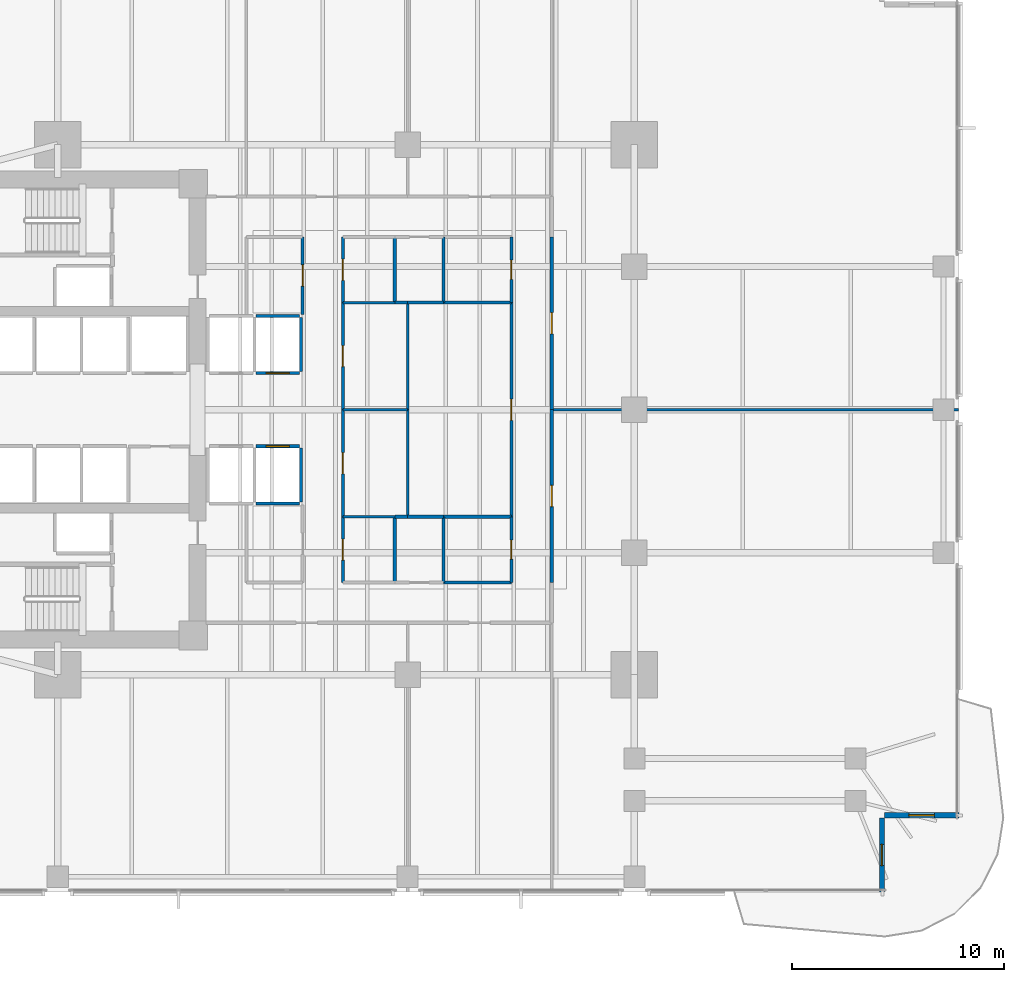
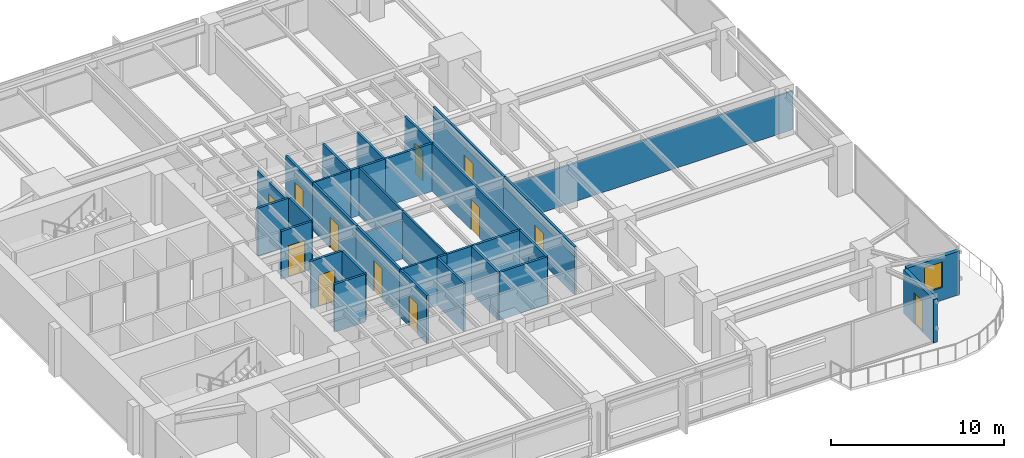
# One storey, part 9 of 15: 35 walls, 13 doors, 1 window, 14 openings.
"""IFC4 building model written with IfcOpenShell, lengths in metres."""

from ifc_helpers import new_model, si_unit, direction, frame, frame_2d, origin, place, context, subcontext, project, spatial, rectangle, extrude, material, layer, layer_set, type_object, element, fill, save


model = new_model("IFC4")

# Units and contexts
model_context = context("Model", 3, precision=1e-05, world=origin(), true_north=direction((0.0, 1.0)))
body_context = subcontext(model_context, "Body", "Model", "MODEL_VIEW")
ifc_project = project(units=[si_unit("LENGTHUNIT", "METRE"), si_unit("AREAUNIT", "SQUARE_METRE"), si_unit("VOLUMEUNIT", "CUBIC_METRE"), si_unit("PLANEANGLEUNIT", "RADIAN"), si_unit("MASSUNIT", "GRAM", prefix="KILO")], contexts=[model_context])

# Site, building, storey
site_placement = place(None, origin())
site = spatial("IfcSite", under=ifc_project, at=site_placement, CompositionType="ELEMENT")
building_placement = place(site_placement, origin())
building = spatial("IfcBuilding", under=site, at=building_placement, Name="Kinhvarn Gate Tower", CompositionType="ELEMENT")
storey_placement = place(building_placement, frame((0.0, 0.0, 39.800048828125)))
storey = spatial("IfcBuildingStorey", under=building, at=storey_placement, Name="L09", CompositionType="ELEMENT", Elevation=39.800048828125)

# Wall, opening, door
ifc_material_1 = material(Name="Fired architectural terracotta", Category="masonry")
ifc_layer_1 = layer(ifc_material_1, 0.25)
ifc_layer_set_1 = layer_set([ifc_layer_1], Name="Fired architectural terracotta")
wall_type_1 = type_object("IfcWallType", Name="WL-EXT-250", PredefinedType="SOLIDWALL", material=ifc_layer_set_1)
wall_1_placement = place(storey_placement, frame((49.875, 2.5, 0.0), z_axis=(0.0, 0.0, 1.0), x_axis=(0.0, 1.0, 0.0)))
wall_1 = element("IfcWall", 1, at=wall_1_placement, inside=storey, type_object=wall_type_1, Name="Exterior Solidwall Wall EW-250 (L09 SE-Notch-Door)", PredefinedType="SOLIDWALL", context=body_context, shape_type="SweptSolid", body=[
    extrude(rectangle(XDim=3.5, YDim=0.25, at=frame_2d((1.75, 0.0))), origin(), (0.0, 0.0, 1.0), 3.070068359375),
])
opening_1_placement = place(wall_1_placement, frame((1.25, 0.0, 0.0)))
opening_1 = element("IfcOpeningElement", 2, at=opening_1_placement, cuts=wall_1, Name="Opening BD-01", PredefinedType="OPENING", context=body_context, shape_type="SweptSolid", body=[
    extrude(rectangle(XDim=1.0, YDim=2.199951171875, at=frame_2d((0.5, 1.10009765625))), frame((0.0, 0.135009765625, 0.0), z_axis=(0.0, -1.0, 0.0), x_axis=(1.0, 0.0, 0.0)), (0.0, 0.0, 1.0), 0.27001953125),
])
ifc_material_2 = material(Name="Clear low-e double glazing", Category="glass")
door_type_1 = type_object("IfcDoorType", Name="DR-BAL-1000", OperationType="NOTDEFINED", PredefinedType="DOOR", material=ifc_material_2)
door_1_placement = place(opening_1_placement, frame((1.0, 0.0, 0.0), z_axis=(0.0, 0.0, 1.0), x_axis=(-1.0, 0.0, 0.0)))
door_1 = element("IfcDoor", 3, at=door_1_placement, inside=storey, type_object=door_type_1, Name="S-Carve Balcony Door BD-01 (L09)", OperationType="SINGLE_SWING_LEFT", OverallHeight=2.199951171875, OverallWidth=1.0, PredefinedType="DOOR", context=body_context, shape_type="SweptSolid", body=[
    extrude(rectangle(XDim=1.0, YDim=2.199951171875, at=frame_2d((0.5, 1.10009765625))), frame((0.0, 0.02490234375, 0.0), z_axis=(0.0, -1.0, 0.0), x_axis=(1.0, 0.0, 0.0)), (0.0, 0.0, 1.0), 0.050048828125),
])
fill(opening_1, door_1)

# Wall, opening, window
wall_2_placement = place(storey_placement, frame((50.0, 6.125, 0.0), z_axis=(0.0, 0.0, 1.0), x_axis=(1.0, 0.0, 0.0)))
wall_2 = element("IfcWall", 4, at=wall_2_placement, inside=storey, type_object=wall_type_1, Name="Exterior Solidwall Wall EW-250 (L09 SE-Notch-Win)", PredefinedType="SOLIDWALL", context=body_context, shape_type="SweptSolid", body=[
    extrude(rectangle(XDim=3.5, YDim=0.25, at=frame_2d((1.75, 0.0))), origin(), (0.0, 0.0, 1.0), 3.070068359375),
])
opening_2_placement = place(wall_2_placement, frame((1.14990234375, 0.0, 0.89990234375)))
opening_2 = element("IfcOpeningElement", 5, at=opening_2_placement, cuts=wall_2, Name="Opening WN-02", PredefinedType="OPENING", context=body_context, shape_type="SweptSolid", body=[
    extrude(rectangle(XDim=1.199951171875, YDim=1.800048828125, at=frame_2d((0.60009765625, 0.89990234375))), frame((0.0, 0.135009765625, 0.0), z_axis=(0.0, -1.0, 0.0), x_axis=(1.0, 0.0, 0.0)), (0.0, 0.0, 1.0), 0.27001953125),
])
window_type = type_object("IfcWindowType", Name="WIN-NTC-1200", PartitioningType="SINGLE_PANEL", PredefinedType="WINDOW", material=ifc_material_2)
window_placement = place(opening_2_placement, origin())
window = element("IfcWindow", 6, at=window_placement, inside=storey, type_object=window_type, Name="Recessed Corner Notch Punched Window 1200x1800 mm (L09)", OverallHeight=1.800048828125, OverallWidth=1.199951171875, PartitioningType="SINGLE_PANEL", PredefinedType="WINDOW", context=body_context, shape_type="SweptSolid", body=[
    extrude(rectangle(XDim=1.199951171875, YDim=1.800048828125, at=frame_2d((0.60009765625, 0.89990234375))), frame((0.0, 0.030029296875, 0.0), z_axis=(0.0, -1.0, 0.0), x_axis=(1.0, 0.0, 0.0)), (0.0, 0.0, 1.0), 0.06005859375),
])
fill(opening_2, window)

# Walls
ifc_material_3 = material(Name="Gypsum acoustic partition board")
ifc_layer_2 = layer(ifc_material_3, 0.14990234375)
ifc_layer_set_2 = layer_set([ifc_layer_2], Name="Gypsum acoustic partition board")
wall_type_2 = type_object("IfcWallType", Name="WL-PLM-150", PredefinedType="PLUMBINGWALL", material=ifc_layer_set_2)
wall_3_placement = place(storey_placement, frame((29.199951171875, 17.10009765625, 0.0), z_axis=(0.0, 0.0, 1.0), x_axis=(0.0, 1.0, 0.0)))
element("IfcWall", 7, at=wall_3_placement, inside=storey, type_object=wall_type_2, Name="Interior Partition PLW-150 (L09)", PredefinedType="PLUMBINGWALL", context=body_context, shape_type="SweptSolid", body=[
    extrude(rectangle(XDim=3.099853515625, YDim=0.14990234375, at=frame_2d((1.5498046875, 0.0))), origin(), (0.0, 0.0, 1.0), 3.369873046875),
])
wall_4_placement = place(storey_placement, frame((29.199951171875, 20.199951171875, 0.0), z_axis=(0.0, 0.0, 1.0), x_axis=(1.0, 0.0, 0.0)))
element("IfcWall", 8, at=wall_4_placement, inside=storey, type_object=wall_type_2, Name="Interior Partition PLW-150 (L09)", PredefinedType="PLUMBINGWALL", context=body_context, shape_type="SweptSolid", body=[
    extrude(rectangle(XDim=3.199951171875, YDim=0.14990234375, at=frame_2d((1.60009765625, 0.0))), origin(), (0.0, 0.0, 1.0), 3.369873046875),
])
wall_5_placement = place(storey_placement, frame((29.199951171875, 30.300048828125, 0.0), z_axis=(0.0, 0.0, 1.0), x_axis=(0.0, 1.0, 0.0)))
element("IfcWall", 9, at=wall_5_placement, inside=storey, type_object=wall_type_2, Name="Interior Partition PLW-150 (L09)", PredefinedType="PLUMBINGWALL", context=body_context, shape_type="SweptSolid", body=[
    extrude(rectangle(XDim=3.099853515625, YDim=0.14990234375, at=frame_2d((1.5498046875, 0.0))), origin(), (0.0, 0.0, 1.0), 3.369873046875),
])
wall_6_placement = place(storey_placement, frame((29.199951171875, 30.300048828125, 0.0), z_axis=(0.0, 0.0, 1.0), x_axis=(1.0, 0.0, 0.0)))
element("IfcWall", 10, at=wall_6_placement, inside=storey, type_object=wall_type_2, Name="Interior Partition PLW-150 (L09)", PredefinedType="PLUMBINGWALL", context=body_context, shape_type="SweptSolid", body=[
    extrude(rectangle(XDim=3.199951171875, YDim=0.14990234375, at=frame_2d((1.60009765625, 0.0))), origin(), (0.0, 0.0, 1.0), 3.369873046875),
])
wall_7_placement = place(storey_placement, frame((26.89990234375, 17.10009765625, 0.0), z_axis=(0.0, 0.0, 1.0), x_axis=(0.0, 1.0, 0.0)))
element("IfcWall", 11, at=wall_7_placement, inside=storey, type_object=wall_type_2, Name="Interior Partition PLW-150 (L09)", PredefinedType="PLUMBINGWALL", context=body_context, shape_type="SweptSolid", body=[
    extrude(rectangle(XDim=3.099853515625, YDim=0.14990234375, at=frame_2d((1.5498046875, 0.0))), origin(), (0.0, 0.0, 1.0), 3.369873046875),
])
wall_8_placement = place(storey_placement, frame((26.89990234375, 20.199951171875, 0.0), z_axis=(0.0, 0.0, 1.0), x_axis=(1.0, 0.0, 0.0)))
element("IfcWall", 12, at=wall_8_placement, inside=storey, type_object=wall_type_2, Name="Interior Partition PLW-150 (L09)", PredefinedType="PLUMBINGWALL", context=body_context, shape_type="SweptSolid", body=[
    extrude(rectangle(XDim=0.60009765625, YDim=0.14990234375, at=frame_2d((0.300048828125, 0.0))), origin(), (0.0, 0.0, 1.0), 3.369873046875),
])
wall_9_placement = place(storey_placement, frame((27.5, 20.199951171875, 0.0), z_axis=(0.0, 0.0, 1.0), x_axis=(1.0, 0.0, 0.0)))
element("IfcWall", 13, at=wall_9_placement, inside=storey, type_object=wall_type_2, Name="Interior Partition PLW-150 (L09)", PredefinedType="PLUMBINGWALL", context=body_context, shape_type="SweptSolid", body=[
    extrude(rectangle(XDim=1.699951171875, YDim=0.14990234375, at=frame_2d((0.85009765625, 0.0))), origin(), (0.0, 0.0, 1.0), 3.369873046875),
])
wall_10_placement = place(storey_placement, frame((26.89990234375, 30.300048828125, 0.0), z_axis=(0.0, 0.0, 1.0), x_axis=(0.0, 1.0, 0.0)))
element("IfcWall", 14, at=wall_10_placement, inside=storey, type_object=wall_type_2, Name="Interior Partition PLW-150 (L09)", PredefinedType="PLUMBINGWALL", context=body_context, shape_type="SweptSolid", body=[
    extrude(rectangle(XDim=3.099853515625, YDim=0.14990234375, at=frame_2d((1.5498046875, 0.0))), origin(), (0.0, 0.0, 1.0), 3.369873046875),
])
wall_11_placement = place(storey_placement, frame((26.89990234375, 30.300048828125, 0.0), z_axis=(0.0, 0.0, 1.0), x_axis=(1.0, 0.0, 0.0)))
element("IfcWall", 15, at=wall_11_placement, inside=storey, type_object=wall_type_2, Name="Interior Partition PLW-150 (L09)", PredefinedType="PLUMBINGWALL", context=body_context, shape_type="SweptSolid", body=[
    extrude(rectangle(XDim=0.60009765625, YDim=0.14990234375, at=frame_2d((0.300048828125, 0.0))), origin(), (0.0, 0.0, 1.0), 3.369873046875),
])
wall_12_placement = place(storey_placement, frame((27.5, 30.300048828125, 0.0), z_axis=(0.0, 0.0, 1.0), x_axis=(1.0, 0.0, 0.0)))
element("IfcWall", 16, at=wall_12_placement, inside=storey, type_object=wall_type_2, Name="Interior Partition PLW-150 (L09)", PredefinedType="PLUMBINGWALL", context=body_context, shape_type="SweptSolid", body=[
    extrude(rectangle(XDim=1.699951171875, YDim=0.14990234375, at=frame_2d((0.85009765625, 0.0))), origin(), (0.0, 0.0, 1.0), 3.369873046875),
])
ifc_layer_3 = layer(ifc_material_3, 0.14990234375)
ifc_layer_set_3 = layer_set([ifc_layer_3], Name="Gypsum acoustic partition board")
wall_type_3 = type_object("IfcWallType", Name="WL-PLM-150F", PredefinedType="PLUMBINGWALL", material=ifc_layer_set_3)
wall_13_placement = place(storey_placement, frame((29.199951171875, 17.10009765625, 0.0), z_axis=(0.0, 0.0, 1.0), x_axis=(1.0, 0.0, 0.0)))
element("IfcWall", 17, at=wall_13_placement, inside=storey, type_object=wall_type_3, Name="Interior Partition PLW-150F (L09)", PredefinedType="PLUMBINGWALL", context=body_context, shape_type="SweptSolid", body=[
    extrude(rectangle(XDim=3.199951171875, YDim=0.14990234375, at=frame_2d((1.60009765625, 0.0))), origin(), (0.0, 0.0, 1.0), 3.369873046875),
])

# Wall, opening, door
wall_14_placement = place(storey_placement, frame((32.39990234375, 17.10009765625, 0.0), z_axis=(0.0, 0.0, 1.0), x_axis=(0.0, 1.0, 0.0)))
wall_14 = element("IfcWall", 18, at=wall_14_placement, inside=storey, type_object=wall_type_3, Name="Interior Partition PLW-150F (L09)", PredefinedType="PLUMBINGWALL", context=body_context, shape_type="SweptSolid", body=[
    extrude(rectangle(XDim=3.099853515625, YDim=0.14990234375, at=frame_2d((1.5498046875, 0.0))), origin(), (0.0, 0.0, 1.0), 3.369873046875),
])
opening_3_placement = place(wall_14_placement, frame((1.10009765625, 0.0, 0.0)))
opening_3 = element("IfcOpeningElement", 19, at=opening_3_placement, cuts=wall_14, Name="Opening FD-04", PredefinedType="OPENING", context=body_context, shape_type="SweptSolid", body=[
    extrude(rectangle(XDim=0.89990234375, YDim=2.10009765625, at=frame_2d((0.449951171875, 1.050048828125))), frame((0.0, 0.0849609375, 0.0), z_axis=(0.0, -1.0, 0.0), x_axis=(1.0, 0.0, 0.0)), (0.0, 0.0, 1.0), 0.169921875),
])
ifc_material_4 = material(Name="Anodised aluminium AW-6063", Category="aluminium")
door_type_2 = type_object("IfcDoorType", Name="DR-FD-900", OperationType="NOTDEFINED", PredefinedType="DOOR", material=ifc_material_4)
door_2_placement = place(opening_3_placement, origin())
door_2 = element("IfcDoor", 20, at=door_2_placement, inside=storey, type_object=door_type_2, Name="Rated Riser & Service Closet Fire Door 900x2100 mm (L09)", OperationType="SINGLE_SWING_RIGHT", OverallHeight=2.10009765625, OverallWidth=0.89990234375, PredefinedType="DOOR", context=body_context, shape_type="SweptSolid", body=[
    extrude(rectangle(XDim=0.89990234375, YDim=2.10009765625, at=frame_2d((0.449951171875, 1.050048828125))), frame((0.0, 0.02490234375, 0.0), z_axis=(0.0, -1.0, 0.0), x_axis=(1.0, 0.0, 0.0)), (0.0, 0.0, 1.0), 0.050048828125),
])
fill(opening_3, door_2)

wall_15_placement = place(storey_placement, frame((32.39990234375, 30.300048828125, 0.0), z_axis=(0.0, 0.0, 1.0), x_axis=(0.0, 1.0, 0.0)))
wall_15 = element("IfcWall", 21, at=wall_15_placement, inside=storey, type_object=wall_type_3, Name="Interior Partition PLW-150F (L09)", PredefinedType="PLUMBINGWALL", context=body_context, shape_type="SweptSolid", body=[
    extrude(rectangle(XDim=3.099853515625, YDim=0.14990234375, at=frame_2d((1.5498046875, 0.0))), origin(), (0.0, 0.0, 1.0), 3.369873046875),
])
opening_4_placement = place(wall_15_placement, frame((1.10009765625, 0.0, 0.0)))
opening_4 = element("IfcOpeningElement", 22, at=opening_4_placement, cuts=wall_15, Name="Opening FD-04", PredefinedType="OPENING", context=body_context, shape_type="SweptSolid", body=[
    extrude(rectangle(XDim=0.89990234375, YDim=2.10009765625, at=frame_2d((0.449951171875, 1.050048828125))), frame((0.0, 0.0849609375, 0.0), z_axis=(0.0, -1.0, 0.0), x_axis=(1.0, 0.0, 0.0)), (0.0, 0.0, 1.0), 0.169921875),
])
door_3_placement = place(opening_4_placement, origin())
door_3 = element("IfcDoor", 23, at=door_3_placement, inside=storey, type_object=door_type_2, Name="Rated Riser & Service Closet Fire Door 900x2100 mm (L09)", OperationType="SINGLE_SWING_LEFT", OverallHeight=2.10009765625, OverallWidth=0.89990234375, PredefinedType="DOOR", context=body_context, shape_type="SweptSolid", body=[
    extrude(rectangle(XDim=0.89990234375, YDim=2.10009765625, at=frame_2d((0.449951171875, 1.050048828125))), frame((0.0, 0.02490234375, 0.0), z_axis=(0.0, -1.0, 0.0), x_axis=(1.0, 0.0, 0.0)), (0.0, 0.0, 1.0), 0.050048828125),
])
fill(opening_4, door_3)

# Walls
ifc_layer_4 = layer(ifc_material_3, 0.1201171875)
ifc_layer_set_4 = layer_set([ifc_layer_4], Name="Gypsum acoustic partition board")
wall_type_4 = type_object("IfcWallType", Name="WL-PRT-120", PredefinedType="PARTITIONING", material=ifc_layer_set_4)
for number, where, z_axis, x_axis, name in (
    (24, (24.449951171875, 20.199951171875, 0.0), (0.0, 0.0, 1.0), (1.0, 0.0, 0.0), "Interior Partition PW-120 (L09)"),
    (25, (24.449951171875, 30.300048828125, 0.0), (0.0, 0.0, 1.0), (1.0, 0.0, 0.0), "Interior Partition PW-120 (L09)"),
):
    element("IfcWall", number, at=place(storey_placement, frame(where, z_axis=z_axis, x_axis=x_axis)), inside=storey, type_object=wall_type_4, Name=name, PredefinedType="PARTITIONING", context=body_context, shape_type="SweptSolid", body=[
        extrude(rectangle(XDim=2.449951171875, YDim=0.1201171875, at=frame_2d((1.22509765625, 0.0))), origin(), (0.0, 0.0, 1.0), 3.369873046875),
    ])
wall_16_placement = place(storey_placement, frame((24.449951171875, 25.25, 0.0), z_axis=(0.0, 0.0, 1.0), x_axis=(1.0, 0.0, 0.0)))
element("IfcWall", 26, at=wall_16_placement, inside=storey, type_object=wall_type_4, Name="Interior Partition PW-120 (L09)", PredefinedType="PARTITIONING", context=body_context, shape_type="SweptSolid", body=[
    extrude(rectangle(XDim=3.050048828125, YDim=0.1201171875, at=frame_2d((1.52490234375, 0.0))), origin(), (0.0, 0.0, 1.0), 2.719970703125),
])
for number, where, z_axis, x_axis, name in (
    (27, (27.5, 20.199951171875, 0.0), (0.0, 0.0, 1.0), (0.0, 1.0, 0.0), "Interior Partition PW-120 (L09)"),
    (28, (27.5, 25.25, 0.0), (0.0, 0.0, 1.0), (0.0, 1.0, 0.0), "Interior Partition PW-120 (L09)"),
):
    element("IfcWall", number, at=place(storey_placement, frame(where, z_axis=z_axis, x_axis=x_axis)), inside=storey, type_object=wall_type_4, Name=name, PredefinedType="PARTITIONING", context=body_context, shape_type="SweptSolid", body=[
        extrude(rectangle(XDim=5.050048828125, YDim=0.1201171875, at=frame_2d((2.52490234375, 0.0))), origin(), (0.0, 0.0, 1.0), 3.369873046875),
    ])
wall_17_placement = place(storey_placement, frame((34.300048828125, 25.25, 0.0), z_axis=(0.0, 0.0, 1.0), x_axis=(1.0, 0.0, 0.0)))
element("IfcWall", 29, at=wall_17_placement, inside=storey, type_object=wall_type_4, Name="Interior Partition PW-120 (L09)", PredefinedType="PARTITIONING", context=body_context, shape_type="SweptSolid", body=[
    extrude(rectangle(XDim=19.18994140625, YDim=0.1201171875, at=frame_2d((9.594970703125, 0.0))), origin(), (0.0, 0.0, 1.0), 2.719970703125),
])

# Wall, opening, door
ifc_layer_5 = layer(ifc_material_3, 0.14990234375)
ifc_layer_set_5 = layer_set([ifc_layer_5], Name="Gypsum acoustic partition board")
wall_type_5 = type_object("IfcWallType", Name="WL-PRT-150F", PredefinedType="PARTITIONING", material=ifc_layer_set_5)
wall_18_placement = place(storey_placement, frame((22.550048828125, 29.75, 0.0), z_axis=(0.0, 0.0, 1.0), x_axis=(0.0, 1.0, 0.0)))
wall_18 = element("IfcWall", 30, at=wall_18_placement, inside=storey, type_object=wall_type_5, Name="Interior Partition PW-150F (L09)", PredefinedType="PARTITIONING", context=body_context, shape_type="SweptSolid", body=[
    extrude(rectangle(XDim=3.64990234375, YDim=0.14990234375, at=frame_2d((1.824951171875, 0.0))), origin(), (0.0, 0.0, 1.0), 3.010009765625),
])
opening_5_placement = place(wall_18_placement, frame((1.324951171875, 0.0, 0.0)))
opening_5 = element("IfcOpeningElement", 31, at=opening_5_placement, cuts=wall_18, Name="Opening ID-02", PredefinedType="OPENING", context=body_context, shape_type="SweptSolid", body=[
    extrude(rectangle(XDim=1.0, YDim=2.14990234375, at=frame_2d((0.5, 1.074951171875))), frame((0.0, 0.0849609375, 0.0), z_axis=(0.0, -1.0, 0.0), x_axis=(1.0, 0.0, 0.0)), (0.0, 0.0, 1.0), 0.169921875),
])
door_type_3 = type_object("IfcDoorType", Name="DR-INT-1000", OperationType="NOTDEFINED", PredefinedType="DOOR", material=ifc_material_4)
door_4_placement = place(opening_5_placement, origin())
door_4 = element("IfcDoor", 32, at=door_4_placement, inside=storey, type_object=door_type_3, Name="Standard Office & Meeting Room Door 1000x2150 mm (L09)", OperationType="SINGLE_SWING_RIGHT", OverallHeight=2.14990234375, OverallWidth=1.0, PredefinedType="DOOR", context=body_context, shape_type="SweptSolid", body=[
    extrude(rectangle(XDim=1.0, YDim=2.14990234375, at=frame_2d((0.5, 1.074951171875))), frame((0.0, 0.02490234375, 0.0), z_axis=(0.0, -1.0, 0.0), x_axis=(1.0, 0.0, 0.0)), (0.0, 0.0, 1.0), 0.050048828125),
])
fill(opening_5, door_4)

wall_19_placement = place(storey_placement, frame((24.449951171875, 17.10009765625, 0.0), z_axis=(0.0, 0.0, 1.0), x_axis=(0.0, 1.0, 0.0)))
wall_19 = element("IfcWall", 33, at=wall_19_placement, inside=storey, type_object=wall_type_5, Name="Interior Partition PW-150F (L09)", PredefinedType="PARTITIONING", context=body_context, shape_type="SweptSolid", body=[
    extrude(rectangle(XDim=3.099853515625, YDim=0.14990234375, at=frame_2d((1.5498046875, 0.0))), origin(), (0.0, 0.0, 1.0), 3.369873046875),
])
opening_6_placement = place(wall_19_placement, frame((1.050048828125, 0.0, 0.0)))
opening_6 = element("IfcOpeningElement", 34, at=opening_6_placement, cuts=wall_19, Name="Opening ID-02", PredefinedType="OPENING", context=body_context, shape_type="SweptSolid", body=[
    extrude(rectangle(XDim=1.0, YDim=2.14990234375, at=frame_2d((0.5, 1.074951171875))), frame((0.0, 0.0849609375, 0.0), z_axis=(0.0, -1.0, 0.0), x_axis=(1.0, 0.0, 0.0)), (0.0, 0.0, 1.0), 0.169921875),
])
door_5_placement = place(opening_6_placement, origin())
door_5 = element("IfcDoor", 35, at=door_5_placement, inside=storey, type_object=door_type_3, Name="Standard Office & Meeting Room Door 1000x2150 mm (L09)", OperationType="SINGLE_SWING_LEFT", OverallHeight=2.14990234375, OverallWidth=1.0, PredefinedType="DOOR", context=body_context, shape_type="SweptSolid", body=[
    extrude(rectangle(XDim=1.0, YDim=2.14990234375, at=frame_2d((0.5, 1.074951171875))), frame((0.0, 0.02490234375, 0.0), z_axis=(0.0, -1.0, 0.0), x_axis=(1.0, 0.0, 0.0)), (0.0, 0.0, 1.0), 0.050048828125),
])
fill(opening_6, door_5)

wall_20_placement = place(storey_placement, frame((24.449951171875, 30.300048828125, 0.0), z_axis=(0.0, 0.0, 1.0), x_axis=(0.0, 1.0, 0.0)))
wall_20 = element("IfcWall", 36, at=wall_20_placement, inside=storey, type_object=wall_type_5, Name="Interior Partition PW-150F (L09)", PredefinedType="PARTITIONING", context=body_context, shape_type="SweptSolid", body=[
    extrude(rectangle(XDim=3.099853515625, YDim=0.14990234375, at=frame_2d((1.5498046875, 0.0))), origin(), (0.0, 0.0, 1.0), 3.369873046875),
])
opening_7_placement = place(wall_20_placement, frame((1.050048828125, 0.0, 0.0)))
opening_7 = element("IfcOpeningElement", 37, at=opening_7_placement, cuts=wall_20, Name="Opening ID-02", PredefinedType="OPENING", context=body_context, shape_type="SweptSolid", body=[
    extrude(rectangle(XDim=1.0, YDim=2.14990234375, at=frame_2d((0.5, 1.074951171875))), frame((0.0, 0.0849609375, 0.0), z_axis=(0.0, -1.0, 0.0), x_axis=(1.0, 0.0, 0.0)), (0.0, 0.0, 1.0), 0.169921875),
])
door_6_placement = place(opening_7_placement, origin())
door_6 = element("IfcDoor", 38, at=door_6_placement, inside=storey, type_object=door_type_3, Name="Standard Office & Meeting Room Door 1000x2150 mm (L09)", OperationType="SINGLE_SWING_RIGHT", OverallHeight=2.14990234375, OverallWidth=1.0, PredefinedType="DOOR", context=body_context, shape_type="SweptSolid", body=[
    extrude(rectangle(XDim=1.0, YDim=2.14990234375, at=frame_2d((0.5, 1.074951171875))), frame((0.0, 0.02490234375, 0.0), z_axis=(0.0, -1.0, 0.0), x_axis=(1.0, 0.0, 0.0)), (0.0, 0.0, 1.0), 0.050048828125),
])
fill(opening_7, door_6)

wall_21_placement = place(storey_placement, frame((24.449951171875, 20.199951171875, 0.0), z_axis=(0.0, 0.0, 1.0), x_axis=(0.0, 1.0, 0.0)))
wall_21 = element("IfcWall", 39, at=wall_21_placement, inside=storey, type_object=wall_type_5, Name="Interior Partition PW-150F (L09)", PredefinedType="PARTITIONING", context=body_context, shape_type="SweptSolid", body=[
    extrude(rectangle(XDim=5.050048828125, YDim=0.14990234375, at=frame_2d((2.52490234375, 0.0))), origin(), (0.0, 0.0, 1.0), 3.369873046875),
])
opening_8_placement = place(wall_21_placement, frame((2.02490234375, 0.0, 0.0)))
opening_8 = element("IfcOpeningElement", 40, at=opening_8_placement, cuts=wall_21, Name="Opening ID-02", PredefinedType="OPENING", context=body_context, shape_type="SweptSolid", body=[
    extrude(rectangle(XDim=1.0, YDim=2.14990234375, at=frame_2d((0.5, 1.074951171875))), frame((0.0, 0.0849609375, 0.0), z_axis=(0.0, -1.0, 0.0), x_axis=(1.0, 0.0, 0.0)), (0.0, 0.0, 1.0), 0.169921875),
])
door_7_placement = place(opening_8_placement, origin())
door_7 = element("IfcDoor", 41, at=door_7_placement, inside=storey, type_object=door_type_3, Name="Standard Office & Meeting Room Door 1000x2150 mm (L09)", OperationType="SINGLE_SWING_LEFT", OverallHeight=2.14990234375, OverallWidth=1.0, PredefinedType="DOOR", context=body_context, shape_type="SweptSolid", body=[
    extrude(rectangle(XDim=1.0, YDim=2.14990234375, at=frame_2d((0.5, 1.074951171875))), frame((0.0, 0.02490234375, 0.0), z_axis=(0.0, -1.0, 0.0), x_axis=(1.0, 0.0, 0.0)), (0.0, 0.0, 1.0), 0.050048828125),
])
fill(opening_8, door_7)

wall_22_placement = place(storey_placement, frame((24.449951171875, 25.25, 0.0), z_axis=(0.0, 0.0, 1.0), x_axis=(0.0, 1.0, 0.0)))
wall_22 = element("IfcWall", 42, at=wall_22_placement, inside=storey, type_object=wall_type_5, Name="Interior Partition PW-150F (L09)", PredefinedType="PARTITIONING", context=body_context, shape_type="SweptSolid", body=[
    extrude(rectangle(XDim=5.050048828125, YDim=0.14990234375, at=frame_2d((2.52490234375, 0.0))), origin(), (0.0, 0.0, 1.0), 3.369873046875),
])
opening_9_placement = place(wall_22_placement, frame((2.02490234375, 0.0, 0.0)))
opening_9 = element("IfcOpeningElement", 43, at=opening_9_placement, cuts=wall_22, Name="Opening ID-02", PredefinedType="OPENING", context=body_context, shape_type="SweptSolid", body=[
    extrude(rectangle(XDim=1.0, YDim=2.14990234375, at=frame_2d((0.5, 1.074951171875))), frame((0.0, 0.0849609375, 0.0), z_axis=(0.0, -1.0, 0.0), x_axis=(1.0, 0.0, 0.0)), (0.0, 0.0, 1.0), 0.169921875),
])
door_8_placement = place(opening_9_placement, origin())
door_8 = element("IfcDoor", 44, at=door_8_placement, inside=storey, type_object=door_type_3, Name="Standard Office & Meeting Room Door 1000x2150 mm (L09)", OperationType="SINGLE_SWING_RIGHT", OverallHeight=2.14990234375, OverallWidth=1.0, PredefinedType="DOOR", context=body_context, shape_type="SweptSolid", body=[
    extrude(rectangle(XDim=1.0, YDim=2.14990234375, at=frame_2d((0.5, 1.074951171875))), frame((0.0, 0.02490234375, 0.0), z_axis=(0.0, -1.0, 0.0), x_axis=(1.0, 0.0, 0.0)), (0.0, 0.0, 1.0), 0.050048828125),
])
fill(opening_9, door_8)

wall_23_placement = place(storey_placement, frame((32.39990234375, 20.199951171875, 0.0), z_axis=(0.0, 0.0, 1.0), x_axis=(0.0, 1.0, 0.0)))
wall_23 = element("IfcWall", 45, at=wall_23_placement, inside=storey, type_object=wall_type_5, Name="Interior Partition PW-150F (L09)", PredefinedType="PARTITIONING", context=body_context, shape_type="SweptSolid", body=[
    extrude(rectangle(XDim=10.10009765625, YDim=0.14990234375, at=frame_2d((5.050048828125, 0.0))), origin(), (0.0, 0.0, 1.0), 3.369873046875),
])
opening_10_placement = place(wall_23_placement, frame((4.550048828125, 0.0, 0.0)))
opening_10 = element("IfcOpeningElement", 46, at=opening_10_placement, cuts=wall_23, Name="Opening ID-02", PredefinedType="OPENING", context=body_context, shape_type="SweptSolid", body=[
    extrude(rectangle(XDim=1.0, YDim=2.14990234375, at=frame_2d((0.5, 1.074951171875))), frame((0.0, 0.0849609375, 0.0), z_axis=(0.0, -1.0, 0.0), x_axis=(1.0, 0.0, 0.0)), (0.0, 0.0, 1.0), 0.169921875),
])
door_9_placement = place(opening_10_placement, origin())
door_9 = element("IfcDoor", 47, at=door_9_placement, inside=storey, type_object=door_type_3, Name="Standard Office & Meeting Room Door 1000x2150 mm (L09)", OperationType="SINGLE_SWING_RIGHT", OverallHeight=2.14990234375, OverallWidth=1.0, PredefinedType="DOOR", context=body_context, shape_type="SweptSolid", body=[
    extrude(rectangle(XDim=1.0, YDim=2.14990234375, at=frame_2d((0.5, 1.074951171875))), frame((0.0, 0.02490234375, 0.0), z_axis=(0.0, -1.0, 0.0), x_axis=(1.0, 0.0, 0.0)), (0.0, 0.0, 1.0), 0.050048828125),
])
fill(opening_10, door_9)

wall_24_placement = place(storey_placement, frame((34.300048828125, 17.10009765625, 0.0), z_axis=(0.0, 0.0, 1.0), x_axis=(0.0, 1.0, 0.0)))
wall_24 = element("IfcWall", 48, at=wall_24_placement, inside=storey, type_object=wall_type_5, Name="Interior Partition PW-150F (L09)", PredefinedType="PARTITIONING", context=body_context, shape_type="SweptSolid", body=[
    extrude(rectangle(XDim=8.14990234375, YDim=0.14990234375, at=frame_2d((4.074951171875, 0.0))), origin(), (0.0, 0.0, 1.0), 3.369873046875),
])
opening_11_placement = place(wall_24_placement, frame((3.574951171875, 0.0, 0.0)))
opening_11 = element("IfcOpeningElement", 49, at=opening_11_placement, cuts=wall_24, Name="Opening ID-02", PredefinedType="OPENING", context=body_context, shape_type="SweptSolid", body=[
    extrude(rectangle(XDim=1.0, YDim=2.14990234375, at=frame_2d((0.5, 1.074951171875))), frame((0.0, 0.0849609375, 0.0), z_axis=(0.0, -1.0, 0.0), x_axis=(1.0, 0.0, 0.0)), (0.0, 0.0, 1.0), 0.169921875),
])
door_10_placement = place(opening_11_placement, origin())
door_10 = element("IfcDoor", 50, at=door_10_placement, inside=storey, type_object=door_type_3, Name="Standard Office & Meeting Room Door 1000x2150 mm (L09)", OperationType="SINGLE_SWING_LEFT", OverallHeight=2.14990234375, OverallWidth=1.0, PredefinedType="DOOR", context=body_context, shape_type="SweptSolid", body=[
    extrude(rectangle(XDim=1.0, YDim=2.14990234375, at=frame_2d((0.5, 1.074951171875))), frame((0.0, 0.02490234375, 0.0), z_axis=(0.0, -1.0, 0.0), x_axis=(1.0, 0.0, 0.0)), (0.0, 0.0, 1.0), 0.050048828125),
])
fill(opening_11, door_10)

wall_25_placement = place(storey_placement, frame((34.300048828125, 25.25, 0.0), z_axis=(0.0, 0.0, 1.0), x_axis=(0.0, 1.0, 0.0)))
wall_25 = element("IfcWall", 51, at=wall_25_placement, inside=storey, type_object=wall_type_5, Name="Interior Partition PW-150F (L09)", PredefinedType="PARTITIONING", context=body_context, shape_type="SweptSolid", body=[
    extrude(rectangle(XDim=8.14990234375, YDim=0.14990234375, at=frame_2d((4.074951171875, 0.0))), origin(), (0.0, 0.0, 1.0), 3.369873046875),
])
opening_12_placement = place(wall_25_placement, frame((3.574951171875, 0.0, 0.0)))
opening_12 = element("IfcOpeningElement", 52, at=opening_12_placement, cuts=wall_25, Name="Opening ID-02", PredefinedType="OPENING", context=body_context, shape_type="SweptSolid", body=[
    extrude(rectangle(XDim=1.0, YDim=2.14990234375, at=frame_2d((0.5, 1.074951171875))), frame((0.0, 0.0849609375, 0.0), z_axis=(0.0, -1.0, 0.0), x_axis=(1.0, 0.0, 0.0)), (0.0, 0.0, 1.0), 0.169921875),
])
door_11_placement = place(opening_12_placement, origin())
door_11 = element("IfcDoor", 53, at=door_11_placement, inside=storey, type_object=door_type_3, Name="Standard Office & Meeting Room Door 1000x2150 mm (L09)", OperationType="SINGLE_SWING_RIGHT", OverallHeight=2.14990234375, OverallWidth=1.0, PredefinedType="DOOR", context=body_context, shape_type="SweptSolid", body=[
    extrude(rectangle(XDim=1.0, YDim=2.14990234375, at=frame_2d((0.5, 1.074951171875))), frame((0.0, 0.02490234375, 0.0), z_axis=(0.0, -1.0, 0.0), x_axis=(1.0, 0.0, 0.0)), (0.0, 0.0, 1.0), 0.050048828125),
])
fill(opening_12, door_11)

# Wall
ifc_layer_6 = layer(ifc_material_3, 0.14990234375)
ifc_layer_set_6 = layer_set([ifc_layer_6], Name="Gypsum acoustic partition board")
wall_type_6 = type_object("IfcWallType", Name="WL-SHF-150", PredefinedType="PARTITIONING", material=ifc_layer_set_6)
wall_26_placement = place(storey_placement, frame((20.35009765625, 20.824951171875, 0.0), z_axis=(0.0, 0.0, 1.0), x_axis=(1.0, 0.0, 0.0)))
element("IfcWall", 54, at=wall_26_placement, inside=storey, type_object=wall_type_6, Name="Elevator PL-02 Hoistway Wall S (L09)", PredefinedType="PARTITIONING", context=body_context, shape_type="SweptSolid", body=[
    extrude(rectangle(XDim=2.0498046875, YDim=0.14990234375, at=frame_2d((1.02490234375, 0.0))), origin(), (0.0, 0.0, 1.0), 3.369873046875),
])

# Wall, opening, door
wall_27_placement = place(storey_placement, frame((20.35009765625, 23.52490234375, 0.0), z_axis=(0.0, 0.0, 1.0), x_axis=(1.0, 0.0, 0.0)))
wall_27 = element("IfcWall", 55, at=wall_27_placement, inside=storey, type_object=wall_type_6, Name="Elevator PL-02 Landing Wall (L09)", PredefinedType="PARTITIONING", context=body_context, shape_type="SweptSolid", body=[
    extrude(rectangle(XDim=2.0498046875, YDim=0.14990234375, at=frame_2d((1.02490234375, 0.0))), origin(), (0.0, 0.0, 1.0), 3.369873046875),
])
opening_13_placement = place(wall_27_placement, frame((0.47509765625, 0.0, 0.0)))
opening_13 = element("IfcOpeningElement", 56, at=opening_13_placement, cuts=wall_27, Name="Opening LD-01", PredefinedType="OPENING", context=body_context, shape_type="SweptSolid", body=[
    extrude(rectangle(XDim=1.10009765625, YDim=2.199951171875, at=frame_2d((0.550048828125, 1.10009765625))), frame((0.0, 0.0849609375, 0.0), z_axis=(0.0, -1.0, 0.0), x_axis=(1.0, 0.0, 0.0)), (0.0, 0.0, 1.0), 0.169921875),
])
door_type_4 = type_object("IfcDoorType", Name="DR-LND-PAS", OperationType="NOTDEFINED", PredefinedType="DOOR", material=ifc_material_4)
door_12_placement = place(opening_13_placement, origin())
door_12 = element("IfcDoor", 57, at=door_12_placement, inside=storey, type_object=door_type_4, Name="Elevator PL-02 Sliding Landing Door (L09)", OperationType="DOUBLE_DOOR_SLIDING", OverallHeight=2.199951171875, OverallWidth=1.10009765625, PredefinedType="DOOR", context=body_context, shape_type="SweptSolid", body=[
    extrude(rectangle(XDim=1.10009765625, YDim=2.199951171875, at=frame_2d((0.550048828125, 1.10009765625))), frame((0.0, 0.02490234375, 0.0), z_axis=(0.0, -1.0, 0.0), x_axis=(1.0, 0.0, 0.0)), (0.0, 0.0, 1.0), 0.050048828125),
])
fill(opening_13, door_12)

# Wall
wall_28_placement = place(storey_placement, frame((22.47509765625, 20.89990234375, 0.0), z_axis=(0.0, 0.0, 1.0), x_axis=(0.0, 1.0, 0.0)))
element("IfcWall", 58, at=wall_28_placement, inside=storey, type_object=wall_type_6, Name="Elevator PL-02 Hoistway Wall E (L09)", PredefinedType="PARTITIONING", context=body_context, shape_type="SweptSolid", body=[
    extrude(rectangle(XDim=2.550048828125, YDim=0.14990234375, at=frame_2d((1.27490234375, 0.0))), origin(), (0.0, 0.0, 1.0), 3.369873046875),
])

# Wall, opening, door
wall_29_placement = place(storey_placement, frame((20.35009765625, 26.97509765625, 0.0), z_axis=(0.0, 0.0, 1.0), x_axis=(1.0, 0.0, 0.0)))
wall_29 = element("IfcWall", 59, at=wall_29_placement, inside=storey, type_object=wall_type_6, Name="Elevator PL-04 Landing Wall (L09)", PredefinedType="PARTITIONING", context=body_context, shape_type="SweptSolid", body=[
    extrude(rectangle(XDim=2.0498046875, YDim=0.14990234375, at=frame_2d((1.02490234375, 0.0))), origin(), (0.0, 0.0, 1.0), 3.369873046875),
])
opening_14_placement = place(wall_29_placement, frame((0.47509765625, 0.0, 0.0)))
opening_14 = element("IfcOpeningElement", 60, at=opening_14_placement, cuts=wall_29, Name="Opening LD-01", PredefinedType="OPENING", context=body_context, shape_type="SweptSolid", body=[
    extrude(rectangle(XDim=1.10009765625, YDim=2.199951171875, at=frame_2d((0.550048828125, 1.10009765625))), frame((0.0, 0.0849609375, 0.0), z_axis=(0.0, -1.0, 0.0), x_axis=(1.0, 0.0, 0.0)), (0.0, 0.0, 1.0), 0.169921875),
])
door_13_placement = place(opening_14_placement, origin())
door_13 = element("IfcDoor", 61, at=door_13_placement, inside=storey, type_object=door_type_4, Name="Elevator PL-04 Sliding Landing Door (L09)", OperationType="DOUBLE_DOOR_SLIDING", OverallHeight=2.199951171875, OverallWidth=1.10009765625, PredefinedType="DOOR", context=body_context, shape_type="SweptSolid", body=[
    extrude(rectangle(XDim=1.10009765625, YDim=2.199951171875, at=frame_2d((0.550048828125, 1.10009765625))), frame((0.0, 0.02490234375, 0.0), z_axis=(0.0, -1.0, 0.0), x_axis=(1.0, 0.0, 0.0)), (0.0, 0.0, 1.0), 0.050048828125),
])
fill(opening_14, door_13)

# Walls
wall_30_placement = place(storey_placement, frame((20.35009765625, 29.675048828125, 0.0), z_axis=(0.0, 0.0, 1.0), x_axis=(1.0, 0.0, 0.0)))
element("IfcWall", 62, at=wall_30_placement, inside=storey, type_object=wall_type_6, Name="Elevator PL-04 Hoistway Wall N (L09)", PredefinedType="PARTITIONING", context=body_context, shape_type="SweptSolid", body=[
    extrude(rectangle(XDim=2.0498046875, YDim=0.14990234375, at=frame_2d((1.02490234375, 0.0))), origin(), (0.0, 0.0, 1.0), 3.369873046875),
])
wall_31_placement = place(storey_placement, frame((22.47509765625, 27.050048828125, 0.0), z_axis=(0.0, 0.0, 1.0), x_axis=(0.0, 1.0, 0.0)))
element("IfcWall", 63, at=wall_31_placement, inside=storey, type_object=wall_type_6, Name="Elevator PL-04 Hoistway Wall E (L09)", PredefinedType="PARTITIONING", context=body_context, shape_type="SweptSolid", body=[
    extrude(rectangle(XDim=2.550048828125, YDim=0.14990234375, at=frame_2d((1.27490234375, 0.0))), origin(), (0.0, 0.0, 1.0), 3.369873046875),
])

save(model, "model.ifc")
